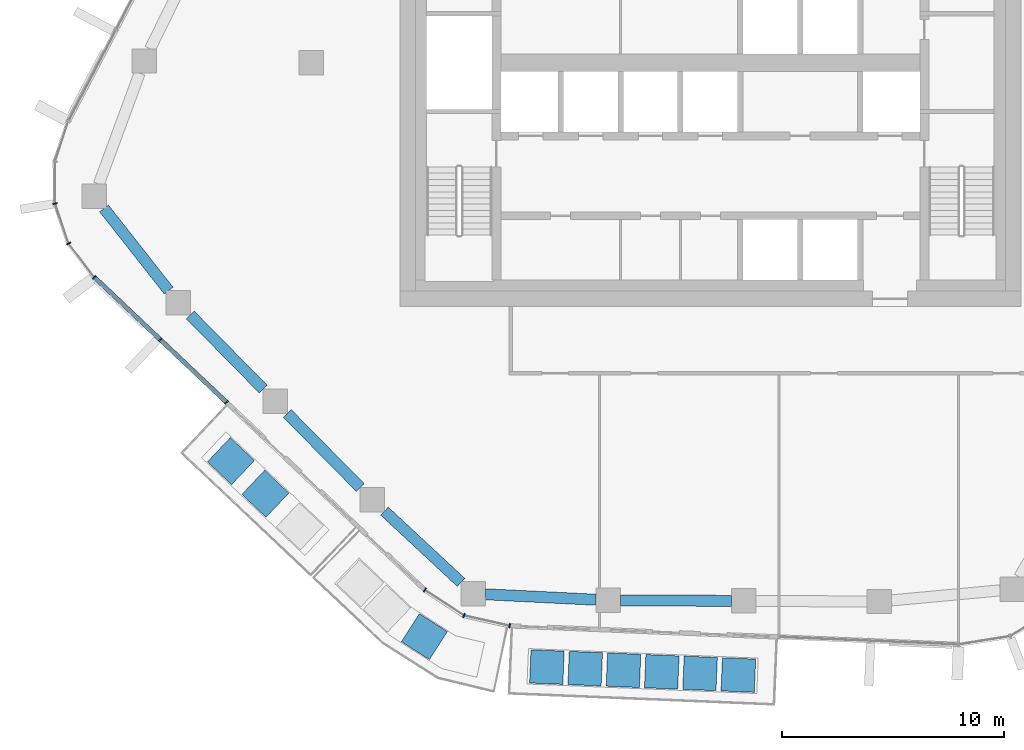
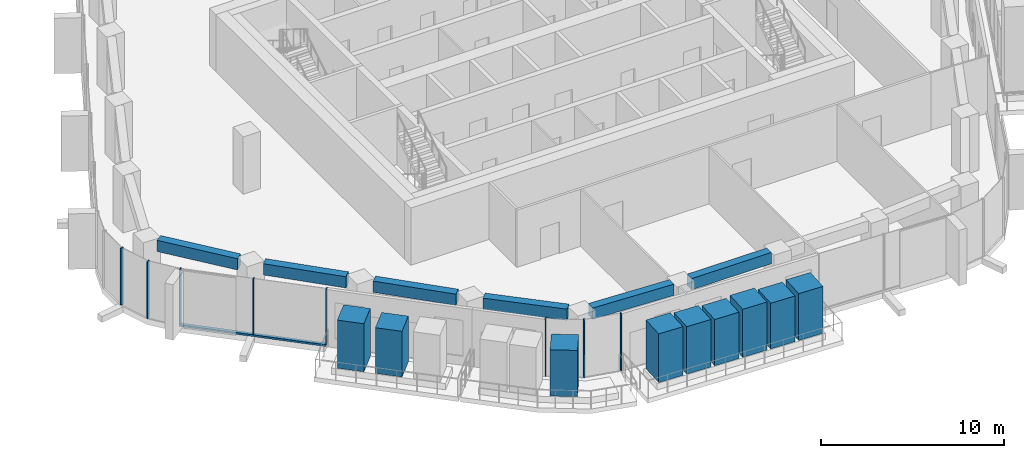
# One storey, part 2 of 20: 18 members, 6 beams, 3 elements without a shape of their own.
"""IFC4 building model written with IfcOpenShell, lengths in metres."""

from ifc_helpers import new_model, si_unit, direction, frame, origin, origin_2d, place, context, subcontext, project, spatial, rectangle, extrude, material, layer, layer_set, material_profile, profile_set, type_object, element, aggregate, save


model = new_model("IFC4")

# Units and contexts
model_context = context("Model", 3, precision=1e-05, world=origin(), true_north=direction((0.0, 1.0)))
body_context = subcontext(model_context, "Body", "Model", "MODEL_VIEW")
ifc_project = project(units=[si_unit("LENGTHUNIT", "METRE"), si_unit("AREAUNIT", "SQUARE_METRE"), si_unit("VOLUMEUNIT", "CUBIC_METRE"), si_unit("PLANEANGLEUNIT", "RADIAN"), si_unit("MASSUNIT", "GRAM", prefix="KILO")], contexts=[model_context])

# Site, building, storey
site_placement = place(None, origin())
site = spatial("IfcSite", under=ifc_project, at=site_placement, CompositionType="ELEMENT")
building_placement = place(site_placement, origin())
building = spatial("IfcBuilding", under=site, at=building_placement, Name="Dongbaek Canopy Tower", CompositionType="ELEMENT")
storey_placement = place(building_placement, frame((0.0, 0.0, 249.60009765625)))
storey = spatial("IfcBuildingStorey", under=building, at=storey_placement, Name="L52", CompositionType="ELEMENT", Elevation=249.60009765625)

# Curtain wall, members
ifc_material_1 = material(Name="Aluminium 6063-T6 pale anodised", Category="aluminium")
ifc_layer = layer(ifc_material_1, 0.199951171875)
ifc_layer_set = layer_set([ifc_layer], Name="CW-1 unitised tower curtain wall")
curtain_wall_type = type_object("IfcCurtainWallType", Name="CW-1 unitised tower curtain wall", PredefinedType="NOTDEFINED", material=ifc_layer_set)
curtain_wall_1_placement = place(storey_placement, origin())
curtain_wall_1 = element("IfcCurtainWall", 1, at=curtain_wall_1_placement, inside=storey, type_object=curtain_wall_type, Name="CW-1 curtain wall K3.1", PredefinedType="NOTDEFINED")
ifc_material_2 = material(Name="Aluminium 6063-T6 pale anodised", Category="aluminium")
ifc_material_profile_1 = material_profile(ifc_material_2, rectangle(XDim=0.199951171875, YDim=0.06005859375, at=origin_2d()), Name="CW-1 mullion 60 x 200")
ifc_profile_set_1 = profile_set([ifc_material_profile_1], Name="Aluminium 6063-T6 pale anodised")
member_type_1 = type_object("IfcMemberType", Name="CW-1 mullion 60 x 200", PredefinedType="MULLION", material=ifc_profile_set_1)
member_1_placement = place(storey_placement, frame((-29.55322265625, -6.354736328125, 0.0), z_axis=(0.0, 0.0, 1.0), x_axis=(-0.986343087867, -0.164703712824, 0.0)))
member_1 = element("IfcMember", 2, at=member_1_placement, type_object=member_type_1, Name="CW-1 mullion K3.1.3", PredefinedType="MULLION", context=body_context, shape_type="SweptSolid", body=[
    extrude(rectangle(XDim=0.199951171875, YDim=0.06005859375, at=origin_2d()), origin(), (0.0, 0.0, 1.0), 3.81982421875),
])
member_2_placement = place(storey_placement, frame((-28.94189453125, -8.1552734375, 0.0), z_axis=(0.0, 0.0, 1.0), x_axis=(-0.88268987237, -0.469955943908, 0.0)))
member_2 = element("IfcMember", 3, at=member_2_placement, type_object=member_type_1, Name="CW-1 mullion K3.1.4", PredefinedType="MULLION", context=body_context, shape_type="SweptSolid", body=[
    extrude(rectangle(XDim=0.199951171875, YDim=0.06005859375, at=origin_2d()), origin(), (0.0, 0.0, 1.0), 3.81982421875),
])
member_3_placement = place(storey_placement, frame((-27.784423828125, -9.67431640625, 0.0), z_axis=(0.0, 0.0, 1.0), x_axis=(-0.795397919328, -0.606087576122, 0.0)))
member_3 = element("IfcMember", 4, at=member_3_placement, type_object=member_type_1, Name="CW-1 mullion K3.1.5", PredefinedType="MULLION", context=body_context, shape_type="SweptSolid", body=[
    extrude(rectangle(XDim=0.199951171875, YDim=0.06005859375, at=origin_2d()), origin(), (0.0, 0.0, 1.0), 3.81982421875),
])
aggregate(curtain_wall_1, [member_1, member_2, member_3])

curtain_wall_2_placement = place(storey_placement, origin())
curtain_wall_2 = element("IfcCurtainWall", 5, at=curtain_wall_2_placement, inside=storey, type_object=curtain_wall_type, Name="CW-1 curtain wall F3.1", PredefinedType="NOTDEFINED")
member_4_placement = place(storey_placement, frame((-24.806640625, -12.491943359375, 0.119873046875), z_axis=(0.0, 0.0, 1.0), x_axis=(-0.687304953463, -0.72636898402, 0.0)))
member_4 = element("IfcMember", 6, at=member_4_placement, type_object=member_type_1, Name="CW-1 mullion F3.1.2", PredefinedType="MULLION", context=body_context, shape_type="SweptSolid", body=[
    extrude(rectangle(XDim=0.199951171875, YDim=0.06005859375, at=origin_2d()), origin(), (0.0, 0.0, 1.0), 3.699951171875),
])
member_5_placement = place(storey_placement, frame((-21.822998046875, -15.315185546875, 0.119873046875), z_axis=(0.0, 0.0, 1.0), x_axis=(-0.687304953463, -0.72636898402, 0.0)))
member_5 = element("IfcMember", 7, at=member_5_placement, type_object=member_type_1, Name="CW-1 mullion F3.1.3", PredefinedType="MULLION", context=body_context, shape_type="SweptSolid", body=[
    extrude(rectangle(XDim=0.199951171875, YDim=0.06005859375, at=origin_2d()), origin(), (0.0, 0.0, 1.0), 3.699951171875),
])

curtain_wall_3_placement = place(storey_placement, origin())
curtain_wall_3 = element("IfcCurtainWall", 8, at=curtain_wall_3_placement, inside=storey, type_object=curtain_wall_type, Name="CW-1 curtain wall K4.1", PredefinedType="NOTDEFINED")
member_6_placement = place(storey_placement, frame((-12.87841796875, -23.77880859375, 0.0), z_axis=(0.0, 0.0, 1.0), x_axis=(-0.546938133338, -0.837173027696, 0.0)))
member_6 = element("IfcMember", 9, at=member_6_placement, type_object=member_type_1, Name="CW-1 mullion K4.1.1", PredefinedType="MULLION", context=body_context, shape_type="SweptSolid", body=[
    extrude(rectangle(XDim=0.199951171875, YDim=0.06005859375, at=origin_2d()), origin(), (0.0, 0.0, 1.0), 3.81982421875),
])
member_7_placement = place(storey_placement, frame((-11.111572265625, -24.93310546875, 0.0), z_axis=(0.0, 0.0, 1.0), x_axis=(-0.389080023715, -0.92120395958, 0.0)))
member_7 = element("IfcMember", 10, at=member_7_placement, type_object=member_type_1, Name="CW-1 mullion K4.1.2", PredefinedType="MULLION", context=body_context, shape_type="SweptSolid", body=[
    extrude(rectangle(XDim=0.199951171875, YDim=0.06005859375, at=origin_2d()), origin(), (0.0, 0.0, 1.0), 3.81982421875),
])
member_8_placement = place(storey_placement, frame((-9.052490234375, -25.394775390625, 0.0), z_axis=(0.0, 0.0, 1.0), x_axis=(-0.218778986972, -0.975774438515, 0.0)))
member_8 = element("IfcMember", 11, at=member_8_placement, type_object=member_type_1, Name="CW-1 mullion K4.1.3", PredefinedType="MULLION", context=body_context, shape_type="SweptSolid", body=[
    extrude(rectangle(XDim=0.199951171875, YDim=0.06005859375, at=origin_2d()), origin(), (0.0, 0.0, 1.0), 3.81982421875),
])
aggregate(curtain_wall_3, [member_6, member_7, member_8])

# Member
ifc_material_3 = material(Name="Aluminium 6063-T6 pale anodised", Category="aluminium")
ifc_material_profile_2 = material_profile(ifc_material_3, rectangle(XDim=0.199951171875, YDim=0.1201171875, at=origin_2d()), Name="CW-1 transom 120 x 200")
ifc_profile_set_2 = profile_set([ifc_material_profile_2], Name="Aluminium 6063-T6 pale anodised")
member_type_2 = type_object("IfcMemberType", Name="CW-1 transom 120 x 200", PredefinedType="USERDEFINED", material=ifc_profile_set_2)
member_9_placement = place(storey_placement, frame((-27.784423828125, -9.67431640625, 0.059814453125), z_axis=(0.726366059873, -0.687308043794, 0.0), x_axis=(0.687308043794, 0.726366059873, 0.0)))
member_9 = element("IfcMember", 12, at=member_9_placement, type_object=member_type_2, Name="CW-1 transom F3.1.1", ObjectType="TRANSOM", PredefinedType="USERDEFINED", context=body_context, shape_type="SweptSolid", body=[
    extrude(rectangle(XDim=0.199951171875, YDim=0.1201171875, at=origin_2d()), origin(), (0.0, 0.0, 1.0), 8.207275390625),
])

aggregate(curtain_wall_2, [member_4, member_5, member_9])

# Beams
ifc_material_4 = material(Name="Concrete C70", Category="concrete")
ifc_material_profile_3 = material_profile(ifc_material_4, rectangle(XDim=0.5, YDim=0.75, at=origin_2d()), Name="RC EDGE BEAM 500x750 C70")
ifc_profile_set_3 = profile_set([ifc_material_profile_3], Name="Concrete C70")
beam_type = type_object("IfcBeamType", Name="RC EDGE BEAM 500x750 C70", PredefinedType="BEAM", material=ifc_profile_set_3)
beam_1_placement = place(storey_placement, frame((0.951904296875, -24.269775390625, 3.44482421875), z_axis=(-0.999990816155, 0.0042857445, 0.0), x_axis=(-0.0042857445, -0.999990816155, 0.0)))
element("IfcBeam", 13, at=beam_1_placement, inside=storey, type_object=beam_type, Name="EDGEBEAM:L52:02", PredefinedType="BEAM", context=body_context, shape_type="SweptSolid", body=[
    extrude(rectangle(XDim=0.5, YDim=0.75, at=origin_2d()), origin(), (0.0, 0.0, 1.0), 5.012939453125),
])
beam_2_placement = place(storey_placement, frame((-5.160888671875, -24.218994140625, 3.44482421875), z_axis=(-0.998786614333, 0.049247325106, 0.0), x_axis=(-0.049247325106, -0.998786614333, 0.0)))
element("IfcBeam", 14, at=beam_2_placement, inside=storey, type_object=beam_type, Name="EDGEBEAM:L52:03", PredefinedType="BEAM", context=body_context, shape_type="SweptSolid", body=[
    extrude(rectangle(XDim=0.5, YDim=0.75, at=origin_2d()), origin(), (0.0, 0.0, 1.0), 4.9921875),
])
beam_3_placement = place(storey_placement, frame((-11.2470703125, -23.434326171875, 3.44482421875), z_axis=(-0.732241423494, 0.681045151014, 0.0), x_axis=(-0.681045151014, -0.732241423494, 0.0)))
element("IfcBeam", 15, at=beam_3_placement, inside=storey, type_object=beam_type, Name="EDGEBEAM:L52:04", PredefinedType="BEAM", context=body_context, shape_type="SweptSolid", body=[
    extrude(rectangle(XDim=0.5, YDim=0.75, at=origin_2d()), origin(), (0.0, 0.0, 1.0), 4.71142578125),
])
beam_4_placement = place(storey_placement, frame((-15.788818359375, -19.1640625, 3.44482421875), z_axis=(-0.701699383964, 0.712473139525, 0.0), x_axis=(-0.712473139525, -0.701699383964, 0.0)))
element("IfcBeam", 16, at=beam_4_placement, inside=storey, type_object=beam_type, Name="EDGEBEAM:L52:05", PredefinedType="BEAM", context=body_context, shape_type="SweptSolid", body=[
    extrude(rectangle(XDim=0.5, YDim=0.75, at=origin_2d()), origin(), (0.0, 0.0, 1.0), 4.690673828125),
])
beam_5_placement = place(storey_placement, frame((-20.16357421875, -14.721923828125, 3.44482421875), z_axis=(-0.701621732034, 0.712549608896, 0.0), x_axis=(-0.712549608896, -0.701621732034, 0.0)))
element("IfcBeam", 17, at=beam_5_placement, inside=storey, type_object=beam_type, Name="EDGEBEAM:L52:06", PredefinedType="BEAM", context=body_context, shape_type="SweptSolid", body=[
    extrude(rectangle(XDim=0.5, YDim=0.75, at=origin_2d()), origin(), (0.0, 0.0, 1.0), 4.691650390625),
])
beam_6_placement = place(storey_placement, frame((-24.429931640625, -10.279052734375, 3.44482421875), z_axis=(-0.618474671525, 0.785804734449, 0.0), x_axis=(-0.785804734449, -0.618474671525, 0.0)))
element("IfcBeam", 18, at=beam_6_placement, inside=storey, type_object=beam_type, Name="EDGEBEAM:L52:07", PredefinedType="BEAM", context=body_context, shape_type="SweptSolid", body=[
    extrude(rectangle(XDim=0.5, YDim=0.75, at=origin_2d()), origin(), (0.0, 0.0, 1.0), 4.719970703125),
])

# Members
ifc_material_5 = material(Name="Concrete C40/50 planter mass with planting", Category="concrete")
ifc_material_profile_4 = material_profile(ifc_material_5, rectangle(XDim=1.5, YDim=1.5, at=origin_2d()), Name="Terrace PLANTER shrub mass 1500 x 1500")
ifc_profile_set_4 = profile_set([ifc_material_profile_4], Name="Concrete C40/50 planter mass with planting")
member_type_3 = type_object("IfcMemberType", Name="Terrace PLANTER shrub mass 1500 x 1500", PredefinedType="USERDEFINED", material=ifc_profile_set_4)
member_10_placement = place(storey_placement, frame((-21.622802734375, -17.968994140625, 0.419921875), z_axis=(0.0, 0.0, 1.0), x_axis=(-0.687304953463, -0.72636898402, 0.0)))
element("IfcMember", 19, at=member_10_placement, inside=storey, type_object=member_type_3, Name="Planter shrubs L52 3.1", ObjectType="PLANTER", PredefinedType="USERDEFINED", context=body_context, shape_type="SweptSolid", body=[
    extrude(rectangle(XDim=1.5, YDim=1.5, at=origin_2d()), origin(), (0.0, 0.0, 1.0), 3.2099609375),
])
member_11_placement = place(storey_placement, frame((-20.069580078125, -19.438720703125, 0.419921875), z_axis=(0.0, 0.0, 1.0), x_axis=(-0.687304953463, -0.72636898402, 0.0)))
element("IfcMember", 20, at=member_11_placement, inside=storey, type_object=member_type_3, Name="Planter shrubs L52 3.2", ObjectType="PLANTER", PredefinedType="USERDEFINED", context=body_context, shape_type="SweptSolid", body=[
    extrude(rectangle(XDim=1.5, YDim=1.5, at=origin_2d()), origin(), (0.0, 0.0, 1.0), 3.050048828125),
])
member_12_placement = place(storey_placement, frame((-12.898193359375, -25.8837890625, 0.419921875), z_axis=(0.0, 0.0, 1.0), x_axis=(-0.540373570245, -0.841425222216, 0.0)))
element("IfcMember", 21, at=member_12_placement, inside=storey, type_object=member_type_3, Name="Planter shrubs L52 8.3", ObjectType="PLANTER", PredefinedType="USERDEFINED", context=body_context, shape_type="SweptSolid", body=[
    extrude(rectangle(XDim=1.5, YDim=1.5, at=origin_2d()), origin(), (0.0, 0.0, 1.0), 3.090087890625),
])
member_13_placement = place(storey_placement, frame((-7.373046875, -27.256103515625, 0.419921875), z_axis=(0.0, 0.0, 1.0), x_axis=(-0.041481315027, -0.999139279832, 0.0)))
element("IfcMember", 22, at=member_13_placement, inside=storey, type_object=member_type_3, Name="Planter shrubs L52 4.1", ObjectType="PLANTER", PredefinedType="USERDEFINED", context=body_context, shape_type="SweptSolid", body=[
    extrude(rectangle(XDim=1.5, YDim=1.5, at=origin_2d()), origin(), (0.0, 0.0, 1.0), 3.25),
])
member_14_placement = place(storey_placement, frame((-5.646240234375, -27.32763671875, 0.419921875), z_axis=(0.0, 0.0, 1.0), x_axis=(-0.041481315027, -0.999139279832, 0.0)))
element("IfcMember", 23, at=member_14_placement, inside=storey, type_object=member_type_3, Name="Planter shrubs L52 4.2", ObjectType="PLANTER", PredefinedType="USERDEFINED", context=body_context, shape_type="SweptSolid", body=[
    extrude(rectangle(XDim=1.5, YDim=1.5, at=origin_2d()), origin(), (0.0, 0.0, 1.0), 3.169921875),
])
member_15_placement = place(storey_placement, frame((-3.91943359375, -27.3994140625, 0.419921875), z_axis=(0.0, 0.0, 1.0), x_axis=(-0.041481315027, -0.999139279832, 0.0)))
element("IfcMember", 24, at=member_15_placement, inside=storey, type_object=member_type_3, Name="Planter shrubs L52 4.3", ObjectType="PLANTER", PredefinedType="USERDEFINED", context=body_context, shape_type="SweptSolid", body=[
    extrude(rectangle(XDim=1.5, YDim=1.5, at=origin_2d()), origin(), (0.0, 0.0, 1.0), 3.090087890625),
])
member_16_placement = place(storey_placement, frame((-2.192626953125, -27.47119140625, 0.419921875), z_axis=(0.0, 0.0, 1.0), x_axis=(-0.041481315027, -0.999139279832, 0.0)))
element("IfcMember", 25, at=member_16_placement, inside=storey, type_object=member_type_3, Name="Planter shrubs L52 4.4", ObjectType="PLANTER", PredefinedType="USERDEFINED", context=body_context, shape_type="SweptSolid", body=[
    extrude(rectangle(XDim=1.5, YDim=1.5, at=origin_2d()), origin(), (0.0, 0.0, 1.0), 3.2099609375),
])
member_17_placement = place(storey_placement, frame((-0.4658203125, -27.542724609375, 0.419921875), z_axis=(0.0, 0.0, 1.0), x_axis=(-0.041481315027, -0.999139279832, 0.0)))
element("IfcMember", 26, at=member_17_placement, inside=storey, type_object=member_type_3, Name="Planter shrubs L52 4.5", ObjectType="PLANTER", PredefinedType="USERDEFINED", context=body_context, shape_type="SweptSolid", body=[
    extrude(rectangle(XDim=1.5, YDim=1.5, at=origin_2d()), origin(), (0.0, 0.0, 1.0), 3.050048828125),
])
member_18_placement = place(storey_placement, frame((1.260986328125, -27.614501953125, 0.419921875), z_axis=(0.0, 0.0, 1.0), x_axis=(-0.041481315027, -0.999139279832, 0.0)))
element("IfcMember", 27, at=member_18_placement, inside=storey, type_object=member_type_3, Name="Planter shrubs L52 4.6", ObjectType="PLANTER", PredefinedType="USERDEFINED", context=body_context, shape_type="SweptSolid", body=[
    extrude(rectangle(XDim=1.5, YDim=1.5, at=origin_2d()), origin(), (0.0, 0.0, 1.0), 3.1298828125),
])

save(model, "model.ifc")
